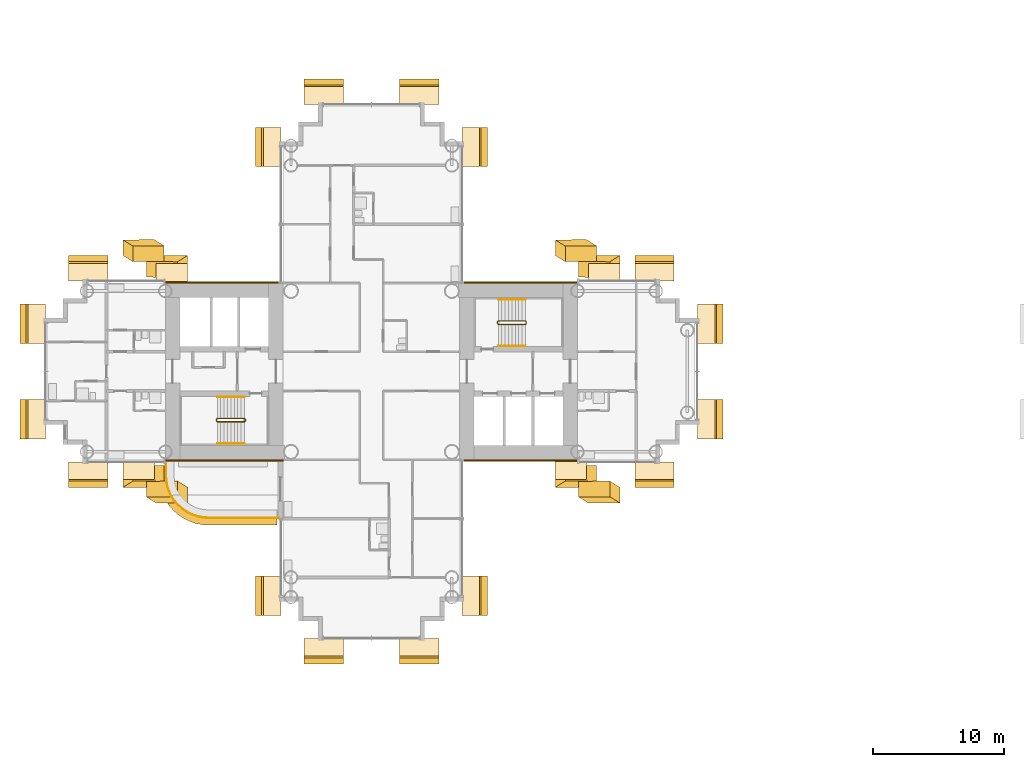
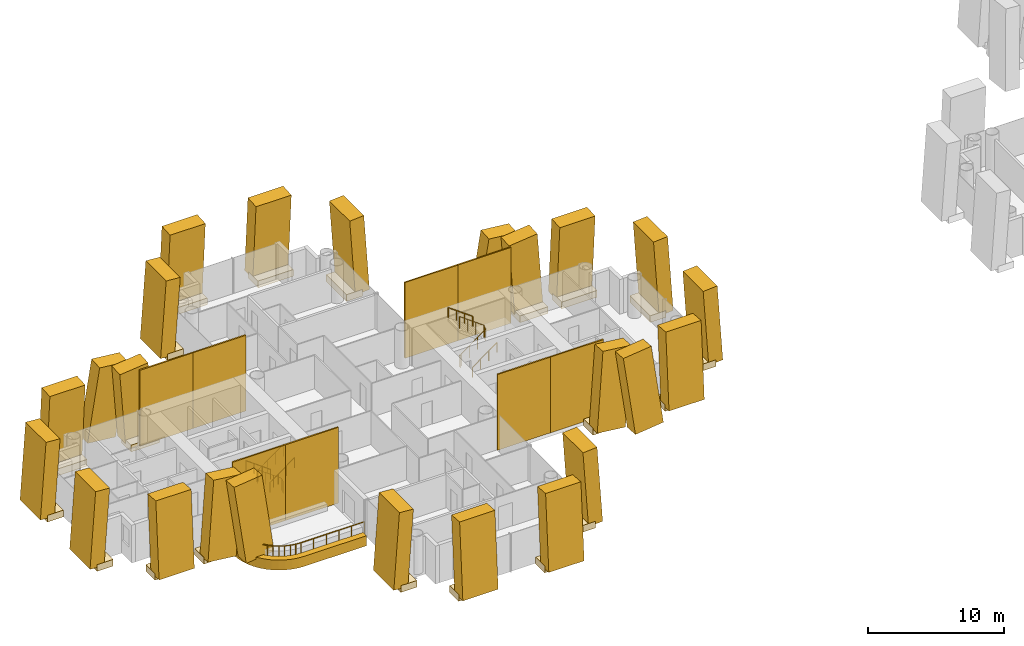
# One storey, part 22 of 24: 53 coverings, 7 railings.
"""IFC4 building model written with IfcOpenShell, lengths in metres."""

from ifc_helpers import new_model, si_unit, direction, frame, origin, origin_2d, place, context, subcontext, project, spatial, polyline, rectangle, circle, outline, extrude, material, layer, layer_set, material_profile, profile_set, type_object, element, save


model = new_model("IFC4")

# Units and contexts
model_context = context("Model", 3, precision=1e-05, world=origin(), true_north=direction((0.0, 1.0)))
body_context = subcontext(model_context, "Body", "Model", "MODEL_VIEW")
ifc_project = project(units=[si_unit("LENGTHUNIT", "METRE"), si_unit("AREAUNIT", "SQUARE_METRE"), si_unit("VOLUMEUNIT", "CUBIC_METRE"), si_unit("PLANEANGLEUNIT", "RADIAN"), si_unit("MASSUNIT", "GRAM", prefix="KILO")], contexts=[model_context])

# Site, building, storey
site_placement = place(None, origin())
site = spatial("IfcSite", under=ifc_project, at=site_placement, CompositionType="ELEMENT")
building_placement = place(site_placement, origin())
building = spatial("IfcBuilding", under=site, at=building_placement, Name="Ipe Terrace Towers", CompositionType="ELEMENT")
storey_placement = place(building_placement, frame((0.0, 0.0, 38.10009765625)))
storey = spatial("IfcBuildingStorey", under=building, at=storey_placement, Name="L09", CompositionType="ELEMENT", Elevation=38.10009765625)

# Railing
ifc_material_1 = material(Name="Stainless steel S316", Category="steel")
railing_type_1 = type_object("IfcRailingType", Name="GUARD 1100", PredefinedType="BALUSTRADE", material=ifc_material_1)
railing_1_placement = place(storey_placement, frame((-51.699951171875, -7.070068359375, -0.02001953125)))
element("IfcRailing", 1, at=railing_1_placement, inside=storey, type_object=railing_type_1, Name="guard", PredefinedType="BALUSTRADE", context=body_context, shape_type="SweptSolid", body=[
    extrude(circle(Radius=0.02392578125, at=origin_2d()), frame((0.0, 0.0, 1.076171875), z_axis=(0.0, -1.0, 0.0), x_axis=(1.0, 0.0, 0.0)), (0.0, 0.0, 1.0), 0.8779296875),
    extrude(circle(Radius=0.02392578125, at=origin_2d()), frame((0.0, -0.8779296875, 1.076171875), z_axis=(0.065190546171, -0.997872833927, 0.0), x_axis=(0.997872833927, 0.065190546171, 0.0)), (0.0, 0.0, 1.0), 0.427001953125),
    extrude(circle(Radius=0.02392578125, at=origin_2d()), frame((0.02783203125, -1.303955078125, 1.076171875), z_axis=(0.195232649896, -0.980756958892, 0.0), x_axis=(0.980756958892, 0.195232649896, 0.0)), (0.0, 0.0, 1.0), 0.42529296875),
    extrude(circle(Radius=0.02392578125, at=origin_2d()), frame((0.11083984375, -1.720947265625, 1.076171875), z_axis=(0.320184280026, -0.947355280148, 0.0), x_axis=(0.947355280148, 0.320184280026, 0.0)), (0.0, 0.0, 1.0), 0.425537109375),
    extrude(circle(Radius=0.02392578125, at=origin_2d()), frame((0.2470703125, -2.1240234375, 1.076171875), z_axis=(0.444455160923, -0.895801099535, 0.0), x_axis=(0.895801099535, 0.444455160923, 0.0)), (0.0, 0.0, 1.0), 0.425048828125),
    extrude(circle(Radius=0.02392578125, at=origin_2d()), frame((0.43603515625, -2.5048828125, 1.076171875), z_axis=(0.55549616226, -0.83151910003, 0.0), x_axis=(0.83151910003, 0.55549616226, 0.0)), (0.0, 0.0, 1.0), 0.424560546875),
    extrude(circle(Radius=0.02392578125, at=origin_2d()), frame((0.671875, -2.85791015625, 1.076171875), z_axis=(0.658463964434, -0.752612255774, 0.0), x_axis=(0.752612255774, 0.658463964434, 0.0)), (0.0, 0.0, 1.0), 0.42529296875),
    extrude(circle(Radius=0.02392578125, at=origin_2d()), frame((0.951904296875, -3.177978515625, 1.076171875), z_axis=(0.752612255774, -0.658463964434, 0.0), x_axis=(0.658463964434, 0.752612255774, 0.0)), (0.0, 0.0, 1.0), 0.42529296875),
    extrude(circle(Radius=0.02392578125, at=origin_2d()), frame((1.27197265625, -3.4580078125, 1.076171875), z_axis=(0.83151910003, -0.55549616226, 0.0), x_axis=(0.55549616226, 0.83151910003, 0.0)), (0.0, 0.0, 1.0), 0.424560546875),
    extrude(circle(Radius=0.02392578125, at=origin_2d()), frame((1.625, -3.69384765625, 1.076171875), z_axis=(0.895801099535, -0.444455160923, 0.0), x_axis=(0.444455160923, 0.895801099535, 0.0)), (0.0, 0.0, 1.0), 0.425048828125),
    extrude(circle(Radius=0.02392578125, at=origin_2d()), frame((2.005859375, -3.8828125, 1.076171875), z_axis=(0.947355280148, -0.320184280026, 0.0), x_axis=(0.320184280026, 0.947355280148, 0.0)), (0.0, 0.0, 1.0), 0.425537109375),
    extrude(circle(Radius=0.02392578125, at=origin_2d()), frame((2.408935546875, -4.01904296875, 1.076171875), z_axis=(0.980756958892, -0.195232649896, 0.0), x_axis=(0.195232649896, 0.980756958892, 0.0)), (0.0, 0.0, 1.0), 0.42529296875),
    extrude(circle(Radius=0.02392578125, at=origin_2d()), frame((2.825927734375, -4.10205078125, 1.076171875), z_axis=(0.997872833927, -0.065190546171, 0.0), x_axis=(0.065190546171, 0.997872833927, 0.0)), (0.0, 0.0, 1.0), 0.427001953125),
    extrude(circle(Radius=0.02392578125, at=origin_2d()), frame((3.251953125, -4.1298828125, 1.076171875), z_axis=(1.0, 0.0, 0.0), x_axis=(0.0, 1.0, 0.0)), (0.0, 0.0, 1.0), 5.3779296875),
    extrude(circle(Radius=0.02099609375, at=origin_2d()), origin(), (0.0, 0.0, 1.0), 1.052001953125),
    extrude(circle(Radius=0.02099609375, at=origin_2d()), frame((0.0, -0.8779296875, 0.0)), (0.0, 0.0, 1.0), 1.052001953125),
    extrude(circle(Radius=0.02099609375, at=origin_2d()), frame((0.02783203125, -1.303955078125, 0.0)), (0.0, 0.0, 1.0), 1.052001953125),
    extrude(circle(Radius=0.02099609375, at=origin_2d()), frame((0.11083984375, -1.720947265625, 0.0)), (0.0, 0.0, 1.0), 1.052001953125),
    extrude(circle(Radius=0.02099609375, at=origin_2d()), frame((0.2470703125, -2.1240234375, 0.0)), (0.0, 0.0, 1.0), 1.052001953125),
    extrude(circle(Radius=0.02099609375, at=origin_2d()), frame((0.43603515625, -2.5048828125, 0.0)), (0.0, 0.0, 1.0), 1.052001953125),
    extrude(circle(Radius=0.02099609375, at=origin_2d()), frame((0.671875, -2.85791015625, 0.0)), (0.0, 0.0, 1.0), 1.052001953125),
    extrude(circle(Radius=0.02099609375, at=origin_2d()), frame((0.951904296875, -3.177978515625, 0.0)), (0.0, 0.0, 1.0), 1.052001953125),
    extrude(circle(Radius=0.02099609375, at=origin_2d()), frame((1.27197265625, -3.4580078125, 0.0)), (0.0, 0.0, 1.0), 1.052001953125),
    extrude(circle(Radius=0.02099609375, at=origin_2d()), frame((1.625, -3.69384765625, 0.0)), (0.0, 0.0, 1.0), 1.052001953125),
    extrude(circle(Radius=0.02099609375, at=origin_2d()), frame((2.005859375, -3.8828125, 0.0)), (0.0, 0.0, 1.0), 1.052001953125),
    extrude(circle(Radius=0.02099609375, at=origin_2d()), frame((2.408935546875, -4.01904296875, 0.0)), (0.0, 0.0, 1.0), 1.052001953125),
    extrude(circle(Radius=0.02099609375, at=origin_2d()), frame((2.825927734375, -4.10205078125, 0.0)), (0.0, 0.0, 1.0), 1.052001953125),
    extrude(circle(Radius=0.02099609375, at=origin_2d()), frame((3.251953125, -4.1298828125, 0.0)), (0.0, 0.0, 1.0), 1.052001953125),
    extrude(circle(Radius=0.02099609375, at=origin_2d()), frame((4.32763671875, -4.1298828125, 0.0)), (0.0, 0.0, 1.0), 1.052001953125),
    extrude(circle(Radius=0.02099609375, at=origin_2d()), frame((5.403076171875, -4.1298828125, 0.0)), (0.0, 0.0, 1.0), 1.052001953125),
    extrude(circle(Radius=0.02099609375, at=origin_2d()), frame((6.478759765625, -4.1298828125, 0.0)), (0.0, 0.0, 1.0), 1.052001953125),
    extrude(circle(Radius=0.02099609375, at=origin_2d()), frame((7.55419921875, -4.1298828125, 0.0)), (0.0, 0.0, 1.0), 1.052001953125),
    extrude(circle(Radius=0.02099609375, at=origin_2d()), frame((8.6298828125, -4.1298828125, 0.0)), (0.0, 0.0, 1.0), 1.052001953125),
])

# Coverings
ifc_material_2 = material(Name="Concrete C50/60 precast, buff finish", Category="concrete")
ifc_layer_1 = layer(ifc_material_2, 0.1201171875)
ifc_layer_set_1 = layer_set([ifc_layer_1], Name="STONE CORE CLADDING 120")
covering_type_1 = type_object("IfcCoveringType", Name="STONE CORE CLADDING 120", PredefinedType="CLADDING", material=ifc_layer_set_1)
covering_1_placement = place(storey_placement, frame((-49.5009765625, -6.81005859375, 0.0), z_axis=(0.0, 0.0, 1.0), x_axis=(1.0, 0.0, 0.0)))
element("IfcCovering", 2, at=covering_1_placement, inside=storey, type_object=covering_type_1, Name="stone core cladding", PredefinedType="CLADDING", context=body_context, shape_type="SweptSolid", body=[
    extrude(rectangle(XDim=4.5009765625, YDim=0.1201171875, at=origin_2d()), origin(), (0.0, 0.0, 1.0), 6.800048828125),
])
covering_2_placement = place(storey_placement, frame((-45.0, -6.81005859375, 0.0), z_axis=(0.0, 0.0, 1.0), x_axis=(1.0, 0.0, 0.0)))
element("IfcCovering", 3, at=covering_2_placement, inside=storey, type_object=covering_type_1, Name="stone core cladding", PredefinedType="CLADDING", context=body_context, shape_type="SweptSolid", body=[
    extrude(rectangle(XDim=4.5, YDim=0.1201171875, at=origin_2d()), origin(), (0.0, 0.0, 1.0), 6.800048828125),
])
covering_3_placement = place(storey_placement, frame((-49.5009765625, 6.81005859375, 0.0), z_axis=(0.0, 0.0, 1.0), x_axis=(-1.0, 0.0, 0.0)))
element("IfcCovering", 4, at=covering_3_placement, inside=storey, type_object=covering_type_1, Name="stone core cladding", PredefinedType="CLADDING", context=body_context, shape_type="SweptSolid", body=[
    extrude(rectangle(XDim=4.5009765625, YDim=0.1201171875, at=origin_2d()), origin(), (0.0, 0.0, 1.0), 6.800048828125),
])
for number, where, z_axis, x_axis, name in (
    (5, (-45.0, 6.81005859375, 0.0), (0.0, 0.0, 1.0), (-1.0, 0.0, 0.0), "stone core cladding"),
    (6, (-27.0, -6.81005859375, 0.0), (0.0, 0.0, 1.0), (1.0, 0.0, 0.0), "stone core cladding"),
):
    element("IfcCovering", number, at=place(storey_placement, frame(where, z_axis=z_axis, x_axis=x_axis)), inside=storey, type_object=covering_type_1, Name=name, PredefinedType="CLADDING", context=body_context, shape_type="SweptSolid", body=[
        extrude(rectangle(XDim=4.5, YDim=0.1201171875, at=origin_2d()), origin(), (0.0, 0.0, 1.0), 6.800048828125),
    ])
covering_4_placement = place(storey_placement, frame((-22.4990234375, -6.81005859375, 0.0), z_axis=(0.0, 0.0, 1.0), x_axis=(1.0, 0.0, 0.0)))
element("IfcCovering", 7, at=covering_4_placement, inside=storey, type_object=covering_type_1, Name="stone core cladding", PredefinedType="CLADDING", context=body_context, shape_type="SweptSolid", body=[
    extrude(rectangle(XDim=4.5009765625, YDim=0.1201171875, at=origin_2d()), origin(), (0.0, 0.0, 1.0), 6.800048828125),
])
covering_5_placement = place(storey_placement, frame((-27.0, 6.81005859375, 0.0), z_axis=(0.0, 0.0, 1.0), x_axis=(-1.0, 0.0, 0.0)))
element("IfcCovering", 8, at=covering_5_placement, inside=storey, type_object=covering_type_1, Name="stone core cladding", PredefinedType="CLADDING", context=body_context, shape_type="SweptSolid", body=[
    extrude(rectangle(XDim=4.5, YDim=0.1201171875, at=origin_2d()), origin(), (0.0, 0.0, 1.0), 6.800048828125),
])
covering_6_placement = place(storey_placement, frame((-22.4990234375, 6.81005859375, 0.0), z_axis=(0.0, 0.0, 1.0), x_axis=(-1.0, 0.0, 0.0)))
element("IfcCovering", 9, at=covering_6_placement, inside=storey, type_object=covering_type_1, Name="stone core cladding", PredefinedType="CLADDING", context=body_context, shape_type="SweptSolid", body=[
    extrude(rectangle(XDim=4.5009765625, YDim=0.1201171875, at=origin_2d()), origin(), (0.0, 0.0, 1.0), 6.800048828125),
])
ifc_material_3 = material(Name="Concrete C50/60 precast, buff finish", Category="concrete")
ifc_layer_2 = layer(ifc_material_3, 0.5)
ifc_layer_set_2 = layer_set([ifc_layer_2], Name="STONE EDGE BAND 500 x 900")
covering_type_2 = type_object("IfcCoveringType", Name="STONE EDGE BAND 500 x 900", PredefinedType="CLADDING", material=ifc_layer_set_2)
covering_7_placement = place(storey_placement, frame((0.0, 0.0, -0.72021484375)))
element("IfcCovering", 10, at=covering_7_placement, inside=storey, type_object=covering_type_2, Name="stone edge band", PredefinedType="CLADDING", context=body_context, shape_type="SweptSolid", body=[
    extrude(outline(polyline([(-48.449951171875, -11.75), (-43.199951171875, -11.75), (-43.199951171875, -11.25), (-48.449951171875, -11.25), (-48.881103515625, -11.221923828125), (-49.303955078125, -11.137939453125), (-49.712890625, -10.9990234375), (-50.10009765625, -10.80810546875), (-50.458984375, -10.568115234375), (-50.782958984375, -10.282958984375), (-51.068115234375, -9.958984375), (-51.30810546875, -9.60009765625), (-51.4990234375, -9.212890625), (-51.637939453125, -8.803955078125), (-51.721923828125, -8.381103515625), (-51.75, -7.949951171875), (-51.75, -7.199951171875), (-52.25, -7.199951171875), (-52.25, -7.949951171875), (-52.2490234375, -7.98291015625), (-52.220947265625, -8.4130859375), (-52.2119140625, -8.47802734375), (-52.1279296875, -8.902099609375), (-52.111083984375, -8.965087890625), (-51.971923828125, -9.3740234375), (-51.947021484375, -9.43408203125), (-51.756103515625, -9.821044921875), (-51.72412109375, -9.8779296875), (-51.48388671875, -10.237060546875), (-51.444091796875, -10.2890625), (-51.158935546875, -10.613037109375), (-51.113037109375, -10.658935546875), (-50.7890625, -10.944091796875), (-50.737060546875, -10.98388671875), (-50.3779296875, -11.22412109375), (-50.321044921875, -11.256103515625), (-49.93408203125, -11.447021484375), (-49.8740234375, -11.471923828125), (-49.465087890625, -11.611083984375), (-49.402099609375, -11.6279296875), (-48.97802734375, -11.7119140625), (-48.9130859375, -11.720947265625), (-48.48291015625, -11.7490234375), (-48.449951171875, -11.75)])), origin(), (0.0, 0.0, 1.0), 0.900146484375),
])
ifc_material_4 = material(Name="Concrete C50/60 precast, buff finish", Category="concrete")
ifc_material_profile_1 = material_profile(ifc_material_4, rectangle(XDim=2.39990234375, YDim=1.199951171875, at=origin_2d()), Name="STONE FIN 2400 x 1200")
ifc_profile_set_1 = profile_set([ifc_material_profile_1], Name="Concrete C50/60 precast, buff finish")
covering_type_3 = type_object("IfcCoveringType", Name="STONE FIN 2400 x 1200", PredefinedType="USERDEFINED", material=ifc_profile_set_1)
for number, where, z_axis, x_axis, name in (
    (11, (-18.202880859375, -9.468017578125, 0.0), (-0.110529591456, 0.069272330104, 0.991455774956), (0.993872833622, 0.007703845088, 0.110260787945), "stone fin"),
    (12, (-18.202880859375, 8.26806640625, 0.0), (-0.110529591456, -0.069272330104, 0.991455774956), (-0.993872833622, 0.007703845088, -0.110260787945), "stone fin"),
    (13, (-20.7470703125, -8.26806640625, 0.0), (0.110529591456, 0.069272330104, 0.991455774956), (0.993872833622, -0.007703845088, -0.110260787945), "stone fin"),
    (14, (-20.7470703125, 9.468017578125, 0.0), (0.110529591456, -0.069272330104, 0.991455774956), (-0.993872833622, -0.007703845088, 0.110260787945), "stone fin"),
    (15, (-51.2529296875, -9.468017578125, 0.0), (-0.110529591456, 0.069272330104, 0.991455774956), (0.993872833622, 0.007703845088, 0.110260787945), "stone fin"),
    (16, (-51.2529296875, 8.26806640625, 0.0), (-0.110529591456, -0.069272330104, 0.991455774956), (-0.993872833622, 0.007703845088, -0.110260787945), "stone fin"),
    (17, (-53.797119140625, -8.26806640625, 0.0), (0.110529591456, 0.069272330104, 0.991455774956), (0.993872833622, -0.007703845088, -0.110260787945), "stone fin"),
    (18, (-53.797119140625, 9.468017578125, 0.0), (0.110529591456, -0.069272330104, 0.991455774956), (-0.993872833622, -0.007703845088, 0.110260787945), "stone fin"),
):
    element("IfcCovering", number, at=place(storey_placement, frame(where, z_axis=z_axis, x_axis=x_axis)), inside=storey, type_object=covering_type_3, Name=name, ObjectType="FIN", PredefinedType="USERDEFINED", context=body_context, shape_type="SweptSolid", body=[
        extrude(rectangle(XDim=2.39990234375, YDim=1.199951171875, at=origin_2d()), origin(), (0.0, 0.0, 1.0), 6.8583984375),
    ])
ifc_material_5 = material(Name="Concrete C50/60 precast, buff finish", Category="concrete")
ifc_material_profile_2 = material_profile(ifc_material_5, rectangle(XDim=3.0, YDim=1.199951171875, at=origin_2d()), Name="STONE FIN CORNER 3000 x 1200")
ifc_profile_set_2 = profile_set([ifc_material_profile_2], Name="Concrete C50/60 precast, buff finish")
covering_type_4 = type_object("IfcCoveringType", Name="STONE FIN CORNER 3000 x 1200", PredefinedType="USERDEFINED", material=ifc_profile_set_2)
for number, where, z_axis, x_axis, name in (
    (19, (-9.73193359375, -3.64990234375, 0.0), (-0.069699389862, 0.0, 0.997568040312), (0.0, 1.0, 0.0), "stone fin"),
    (20, (-9.73193359375, 3.64990234375, 0.0), (-0.069699389862, 0.0, 0.997568040312), (0.0, 1.0, 0.0), "stone fin"),
    (21, (-14.35009765625, -8.26806640625, 0.0), (0.0, 0.069699389862, 0.997568040312), (1.0, 0.0, 0.0), "stone fin"),
    (22, (-14.35009765625, 8.26806640625, 0.0), (0.0, -0.069699389862, 0.997568040312), (-1.0, 0.0, 0.0), "stone fin"),
    (23, (-27.73193359375, -17.14990234375, 0.0), (-0.069699389862, 0.0, 0.997568040312), (0.0, 1.0, 0.0), "stone fin"),
    (24, (-27.73193359375, 17.14990234375, 0.0), (-0.069699389862, 0.0, 0.997568040312), (0.0, 1.0, 0.0), "stone fin"),
    (25, (-32.35009765625, -21.76806640625, 0.0), (0.0, 0.069699389862, 0.997568040312), (1.0, 0.0, 0.0), "stone fin"),
    (26, (-32.35009765625, 21.76806640625, 0.0), (0.0, -0.069699389862, 0.997568040312), (-1.0, 0.0, 0.0), "stone fin"),
    (27, (-39.64990234375, -21.76806640625, 0.0), (0.0, 0.069699389862, 0.997568040312), (1.0, 0.0, 0.0), "stone fin"),
    (28, (-39.64990234375, 21.76806640625, 0.0), (0.0, -0.069699389862, 0.997568040312), (-1.0, 0.0, 0.0), "stone fin"),
    (29, (-44.26806640625, -17.14990234375, 0.0), (0.069699389862, 0.0, 0.997568040312), (0.0, -1.0, 0.0), "stone fin"),
    (30, (-44.26806640625, 17.14990234375, 0.0), (0.069699389862, 0.0, 0.997568040312), (0.0, -1.0, 0.0), "stone fin"),
    (31, (-57.64990234375, -8.26806640625, 0.0), (0.0, 0.069699389862, 0.997568040312), (1.0, 0.0, 0.0), "stone fin"),
    (32, (-57.64990234375, 8.26806640625, 0.0), (0.0, -0.069699389862, 0.997568040312), (-1.0, 0.0, 0.0), "stone fin"),
    (33, (-62.26806640625, -3.64990234375, 0.0), (0.069699389862, 0.0, 0.997568040312), (0.0, -1.0, 0.0), "stone fin"),
    (34, (-62.26806640625, 3.64990234375, 0.0), (0.069699389862, 0.0, 0.997568040312), (0.0, -1.0, 0.0), "stone fin"),
):
    element("IfcCovering", number, at=place(storey_placement, frame(where, z_axis=z_axis, x_axis=x_axis)), inside=storey, type_object=covering_type_4, Name=name, ObjectType="FIN", PredefinedType="USERDEFINED", context=body_context, shape_type="SweptSolid", body=[
        extrude(rectangle(XDim=3.0, YDim=1.199951171875, at=origin_2d()), origin(), (0.0, 0.0, 1.0), 6.81640625),
    ])
ifc_material_6 = material(Name="Concrete C50/60 precast, buff finish", Category="concrete")
covering_type_5 = type_object("IfcCoveringType", Name="STONE FIN SHELF 2400 x 600", PredefinedType="CLADDING", material=ifc_material_6)
covering_8_placement = place(storey_placement, frame((-18.202880859375, 7.592041015625, -0.35009765625), z_axis=(0.0, 0.0, 1.0), x_axis=(-1.0, 0.0, 0.0)))
element("IfcCovering", 35, at=covering_8_placement, inside=storey, type_object=covering_type_5, Name="stone fin shelf", PredefinedType="CLADDING", context=body_context, shape_type="SweptSolid", body=[
    extrude(rectangle(XDim=2.39990234375, YDim=1.35205078125, at=origin_2d()), origin(), (0.0, 0.0, 1.0), 0.60009765625),
])
for number, where, z_axis, x_axis, name in (
    (36, (-20.7470703125, -7.56396484375, -0.35009765625), (0.0, 0.0, 1.0), (1.0, 0.0, 0.0), "stone fin shelf"),
    (37, (-51.2529296875, 7.56396484375, -0.35009765625), (0.0, 0.0, 1.0), (-1.0, 0.0, 0.0), "stone fin shelf"),
):
    element("IfcCovering", number, at=place(storey_placement, frame(where, z_axis=z_axis, x_axis=x_axis)), inside=storey, type_object=covering_type_5, Name=name, PredefinedType="CLADDING", context=body_context, shape_type="SweptSolid", body=[
        extrude(rectangle(XDim=2.39990234375, YDim=1.407958984375, at=origin_2d()), origin(), (0.0, 0.0, 1.0), 0.60009765625),
    ])
covering_9_placement = place(storey_placement, frame((-53.797119140625, -7.592041015625, -0.35009765625), z_axis=(0.0, 0.0, 1.0), x_axis=(1.0, 0.0, 0.0)))
element("IfcCovering", 38, at=covering_9_placement, inside=storey, type_object=covering_type_5, Name="stone fin shelf", PredefinedType="CLADDING", context=body_context, shape_type="SweptSolid", body=[
    extrude(rectangle(XDim=2.39990234375, YDim=1.35205078125, at=origin_2d()), origin(), (0.0, 0.0, 1.0), 0.60009765625),
])
ifc_material_7 = material(Name="Concrete C50/60 precast, buff finish", Category="concrete")
covering_type_6 = type_object("IfcCoveringType", Name="STONE FIN SHELF 3000 x 600", PredefinedType="CLADDING", material=ifc_material_7)
for number, where, z_axis, x_axis, name in (
    (39, (-10.407958984375, -3.64990234375, -0.35009765625), (0.0, 0.0, 1.0), (0.0, 1.0, 0.0), "stone fin shelf"),
    (40, (-10.407958984375, 3.64990234375, -0.35009765625), (0.0, 0.0, 1.0), (0.0, 1.0, 0.0), "stone fin shelf"),
    (41, (-14.35009765625, -7.592041015625, -0.35009765625), (0.0, 0.0, 1.0), (1.0, 0.0, 0.0), "stone fin shelf"),
    (42, (-14.35009765625, 7.592041015625, -0.35009765625), (0.0, 0.0, 1.0), (-1.0, 0.0, 0.0), "stone fin shelf"),
    (43, (-28.407958984375, -17.14990234375, -0.35009765625), (0.0, 0.0, 1.0), (0.0, 1.0, 0.0), "stone fin shelf"),
    (44, (-28.407958984375, 17.14990234375, -0.35009765625), (0.0, 0.0, 1.0), (0.0, 1.0, 0.0), "stone fin shelf"),
    (45, (-32.35009765625, -21.092041015625, -0.35009765625), (0.0, 0.0, 1.0), (1.0, 0.0, 0.0), "stone fin shelf"),
    (46, (-32.35009765625, 21.092041015625, -0.35009765625), (0.0, 0.0, 1.0), (-1.0, 0.0, 0.0), "stone fin shelf"),
    (47, (-39.64990234375, -21.092041015625, -0.35009765625), (0.0, 0.0, 1.0), (1.0, 0.0, 0.0), "stone fin shelf"),
    (48, (-39.64990234375, 21.092041015625, -0.35009765625), (0.0, 0.0, 1.0), (-1.0, 0.0, 0.0), "stone fin shelf"),
    (49, (-43.592041015625, -17.14990234375, -0.35009765625), (0.0, 0.0, 1.0), (0.0, -1.0, 0.0), "stone fin shelf"),
    (50, (-43.592041015625, 17.14990234375, -0.35009765625), (0.0, 0.0, 1.0), (0.0, -1.0, 0.0), "stone fin shelf"),
    (51, (-57.64990234375, -7.592041015625, -0.35009765625), (0.0, 0.0, 1.0), (1.0, 0.0, 0.0), "stone fin shelf"),
    (52, (-57.64990234375, 7.592041015625, -0.35009765625), (0.0, 0.0, 1.0), (-1.0, 0.0, 0.0), "stone fin shelf"),
    (53, (-61.592041015625, -3.64990234375, -0.35009765625), (0.0, 0.0, 1.0), (0.0, -1.0, 0.0), "stone fin shelf"),
    (54, (-61.592041015625, 3.64990234375, -0.35009765625), (0.0, 0.0, 1.0), (0.0, -1.0, 0.0), "stone fin shelf"),
):
    element("IfcCovering", number, at=place(storey_placement, frame(where, z_axis=z_axis, x_axis=x_axis)), inside=storey, type_object=covering_type_6, Name=name, PredefinedType="CLADDING", context=body_context, shape_type="SweptSolid", body=[
        extrude(rectangle(XDim=3.0, YDim=1.35205078125, at=origin_2d()), origin(), (0.0, 0.0, 1.0), 0.60009765625),
    ])

# Railings
ifc_material_8 = material(Name="Steel S355", Category="steel")
railing_type_2 = type_object("IfcRailingType", Name="Stair guard 1100", PredefinedType="GUARDRAIL", material=ifc_material_8)
railing_2_placement = place(storey_placement, frame((-26.35009765625, 3.800048828125, 0.0)))
element("IfcRailing", 55, at=railing_2_placement, inside=storey, type_object=railing_type_2, Name="L09 T1-ST1 stair guard 1", PredefinedType="GUARDRAIL", context=body_context, shape_type="SweptSolid", body=[
    extrude(circle(Radius=0.02392578125, at=origin_2d()), frame((0.0, 0.0, 1.076171875), z_axis=(0.0, -1.0, 0.0), x_axis=(1.0, 0.0, 0.0)), (0.0, 0.0, 1.0), 0.150146484375),
    extrude(circle(Radius=0.02392578125, at=origin_2d()), frame((0.0, -0.150146484375, 1.076171875), z_axis=(0.248385422981, -0.247173786771, 0.936594790069), x_axis=(0.705375805398, 0.708833529934, 0.0)), (0.0, 0.0, 1.0), 0.201416015625),
    extrude(circle(Radius=0.02392578125, at=origin_2d()), frame((0.050048828125, -0.199951171875, 1.2646484375), z_axis=(0.809023421508, 0.0, 0.587776406001), x_axis=(0.0, 1.0, 0.0)), (0.0, 0.0, 1.0), 2.571044921875),
    extrude(circle(Radius=0.02392578125, at=origin_2d()), frame((2.130126953125, -0.199951171875, 2.77587890625), z_axis=(0.708833529934, 0.705375805398, 0.0), x_axis=(-0.705375805398, 0.708833529934, 0.0)), (0.0, 0.0, 1.0), 0.070556640625),
    extrude(circle(Radius=0.02392578125, at=origin_2d()), frame((2.18017578125, -0.150146484375, 2.77587890625), z_axis=(0.0, 1.0, 0.0), x_axis=(-1.0, 0.0, 0.0)), (0.0, 0.0, 1.0), 0.150146484375),
    extrude(circle(Radius=0.02392578125, at=origin_2d()), frame((2.18017578125, 0.0, 2.77587890625), z_axis=(-0.248310886586, 0.248310886586, 0.936313733321), x_axis=(-0.707106781187, -0.707106781187, 0.0)), (0.0, 0.0, 1.0), 0.20166015625),
    extrude(circle(Radius=0.02392578125, at=origin_2d()), frame((2.130126953125, 0.050048828125, 2.96484375), z_axis=(-0.809023421508, 0.0, 0.587776406001), x_axis=(0.0, -1.0, 0.0)), (0.0, 0.0, 1.0), 2.571044921875),
    extrude(circle(Radius=0.02099609375, at=origin_2d()), origin(), (0.0, 0.0, 1.0), 1.052001953125),
    extrude(circle(Radius=0.02099609375, at=origin_2d()), frame((0.0, -0.150146484375, 0.0)), (0.0, 0.0, 1.0), 1.052001953125),
    extrude(circle(Radius=0.02099609375, at=origin_2d()), frame((0.050048828125, -0.199951171875, 0.188720703125)), (0.0, 0.0, 1.0), 1.052001953125),
    extrude(circle(Radius=0.02099609375, at=origin_2d()), frame((0.743408203125, -0.199951171875, 0.6923828125)), (0.0, 0.0, 1.0), 1.052001953125),
    extrude(circle(Radius=0.02099609375, at=origin_2d()), frame((1.436767578125, -0.199951171875, 1.1962890625)), (0.0, 0.0, 1.0), 1.052001953125),
    extrude(circle(Radius=0.02099609375, at=origin_2d()), frame((2.130126953125, -0.199951171875, 1.699951171875)), (0.0, 0.0, 1.0), 1.052001953125),
    extrude(circle(Radius=0.02099609375, at=origin_2d()), frame((2.18017578125, -0.150146484375, 1.699951171875)), (0.0, 0.0, 1.0), 1.052001953125),
    extrude(circle(Radius=0.02099609375, at=origin_2d()), frame((2.18017578125, 0.0, 1.699951171875)), (0.0, 0.0, 1.0), 1.052001953125),
    extrude(circle(Radius=0.02099609375, at=origin_2d()), frame((2.130126953125, 0.050048828125, 1.888671875)), (0.0, 0.0, 1.0), 1.052001953125),
    extrude(circle(Radius=0.02099609375, at=origin_2d()), frame((1.436767578125, 0.050048828125, 2.392333984375)), (0.0, 0.0, 1.0), 1.052001953125),
    extrude(circle(Radius=0.02099609375, at=origin_2d()), frame((0.743408203125, 0.050048828125, 2.896240234375)), (0.0, 0.0, 1.0), 1.052001953125),
    extrude(circle(Radius=0.02099609375, at=origin_2d()), frame((0.050048828125, 0.050048828125, 3.39990234375)), (0.0, 0.0, 1.0), 1.052001953125),
])
railing_3_placement = place(storey_placement, frame((-45.64990234375, -3.800048828125, 0.0)))
element("IfcRailing", 56, at=railing_3_placement, inside=storey, type_object=railing_type_2, Name="L09 T1-ST2 stair guard 1", PredefinedType="GUARDRAIL", context=body_context, shape_type="SweptSolid", body=[
    extrude(circle(Radius=0.02392578125, at=origin_2d()), frame((0.0, 0.0, 1.076171875), z_axis=(0.0, 1.0, 0.0), x_axis=(-1.0, 0.0, 0.0)), (0.0, 0.0, 1.0), 0.150146484375),
    extrude(circle(Radius=0.02392578125, at=origin_2d()), frame((0.0, 0.150146484375, 1.076171875), z_axis=(-0.248385422981, 0.247173786771, 0.936594790069), x_axis=(-0.705375805398, -0.708833529934, 0.0)), (0.0, 0.0, 1.0), 0.201416015625),
    extrude(circle(Radius=0.02392578125, at=origin_2d()), frame((-0.050048828125, 0.199951171875, 1.2646484375), z_axis=(-0.809023421508, 0.0, 0.587776406001), x_axis=(0.0, -1.0, 0.0)), (0.0, 0.0, 1.0), 2.571044921875),
    extrude(circle(Radius=0.02392578125, at=origin_2d()), frame((-2.130126953125, 0.199951171875, 2.77587890625), z_axis=(-0.708833529934, -0.705375805398, 0.0), x_axis=(0.705375805398, -0.708833529934, 0.0)), (0.0, 0.0, 1.0), 0.070556640625),
    extrude(circle(Radius=0.02392578125, at=origin_2d()), frame((-2.18017578125, 0.150146484375, 2.77587890625), z_axis=(0.0, -1.0, 0.0), x_axis=(1.0, 0.0, 0.0)), (0.0, 0.0, 1.0), 0.150146484375),
    extrude(circle(Radius=0.02392578125, at=origin_2d()), frame((-2.18017578125, 0.0, 2.77587890625), z_axis=(0.248310886586, -0.248310886586, 0.936313733321), x_axis=(0.707106781187, 0.707106781187, 0.0)), (0.0, 0.0, 1.0), 0.20166015625),
    extrude(circle(Radius=0.02392578125, at=origin_2d()), frame((-2.130126953125, -0.050048828125, 2.96484375), z_axis=(0.809023421508, 0.0, 0.587776406001), x_axis=(0.0, 1.0, 0.0)), (0.0, 0.0, 1.0), 2.571044921875),
    extrude(circle(Radius=0.02099609375, at=origin_2d()), origin(), (0.0, 0.0, 1.0), 1.052001953125),
    extrude(circle(Radius=0.02099609375, at=origin_2d()), frame((0.0, 0.150146484375, 0.0)), (0.0, 0.0, 1.0), 1.052001953125),
    extrude(circle(Radius=0.02099609375, at=origin_2d()), frame((-0.050048828125, 0.199951171875, 0.188720703125)), (0.0, 0.0, 1.0), 1.052001953125),
    extrude(circle(Radius=0.02099609375, at=origin_2d()), frame((-0.743408203125, 0.199951171875, 0.6923828125)), (0.0, 0.0, 1.0), 1.052001953125),
    extrude(circle(Radius=0.02099609375, at=origin_2d()), frame((-1.436767578125, 0.199951171875, 1.1962890625)), (0.0, 0.0, 1.0), 1.052001953125),
    extrude(circle(Radius=0.02099609375, at=origin_2d()), frame((-2.130126953125, 0.199951171875, 1.699951171875)), (0.0, 0.0, 1.0), 1.052001953125),
    extrude(circle(Radius=0.02099609375, at=origin_2d()), frame((-2.18017578125, 0.150146484375, 1.699951171875)), (0.0, 0.0, 1.0), 1.052001953125),
    extrude(circle(Radius=0.02099609375, at=origin_2d()), frame((-2.18017578125, 0.0, 1.699951171875)), (0.0, 0.0, 1.0), 1.052001953125),
    extrude(circle(Radius=0.02099609375, at=origin_2d()), frame((-2.130126953125, -0.050048828125, 1.888671875)), (0.0, 0.0, 1.0), 1.052001953125),
    extrude(circle(Radius=0.02099609375, at=origin_2d()), frame((-1.436767578125, -0.050048828125, 2.392333984375)), (0.0, 0.0, 1.0), 1.052001953125),
    extrude(circle(Radius=0.02099609375, at=origin_2d()), frame((-0.743408203125, -0.050048828125, 2.896240234375)), (0.0, 0.0, 1.0), 1.052001953125),
    extrude(circle(Radius=0.02099609375, at=origin_2d()), frame((-0.050048828125, -0.050048828125, 3.39990234375)), (0.0, 0.0, 1.0), 1.052001953125),
])
ifc_material_9 = material(Name="Stainless steel grade 304", Category="steel")
railing_type_3 = type_object("IfcRailingType", Name="Stair handrail 900", PredefinedType="HANDRAIL", material=ifc_material_9)
railing_4_placement = place(storey_placement, frame((-26.300048828125, 1.949951171875, 0.188720703125)))
element("IfcRailing", 57, at=railing_4_placement, inside=storey, type_object=railing_type_3, Name="L09 T1-ST1 stair handrail 1", PredefinedType="HANDRAIL", context=body_context, shape_type="SweptSolid", body=[
    extrude(circle(Radius=0.02392578125, at=origin_2d()), frame((0.0, 0.0, 0.8759765625), z_axis=(0.809023421508, 0.0, 0.587776406001), x_axis=(0.0, 1.0, 0.0)), (0.0, 0.0, 1.0), 2.571044921875),
    extrude(circle(Radius=0.02099609375, at=origin_2d()), origin(), (0.0, 0.0, 1.0), 0.851806640625),
    extrude(circle(Radius=0.02099609375, at=origin_2d()), frame((0.693359375, 0.0, 0.503662109375)), (0.0, 0.0, 1.0), 0.851806640625),
    extrude(circle(Radius=0.02099609375, at=origin_2d()), frame((1.38671875, 0.0, 1.007568359375)), (0.0, 0.0, 1.0), 0.851806640625),
    extrude(circle(Radius=0.02099609375, at=origin_2d()), frame((2.080078125, 0.0, 1.51123046875)), (0.0, 0.0, 1.0), 0.851806640625),
])
for number, where, name in (
    (58, (-24.219970703125, 5.5, 1.888671875), "L09 T1-ST1 stair handrail 2"),
    (59, (-45.699951171875, -1.949951171875, 0.188720703125), "L09 T1-ST2 stair handrail 1"),
):
    element("IfcRailing", number, at=place(storey_placement, frame(where)), inside=storey, type_object=railing_type_3, Name=name, PredefinedType="HANDRAIL", context=body_context, shape_type="SweptSolid", body=[
        extrude(circle(Radius=0.02392578125, at=origin_2d()), frame((0.0, 0.0, 0.8759765625), z_axis=(-0.809023421508, 0.0, 0.587776406001), x_axis=(0.0, -1.0, 0.0)), (0.0, 0.0, 1.0), 2.571044921875),
        extrude(circle(Radius=0.02099609375, at=origin_2d()), origin(), (0.0, 0.0, 1.0), 0.851806640625),
        extrude(circle(Radius=0.02099609375, at=origin_2d()), frame((-0.693359375, 0.0, 0.503662109375)), (0.0, 0.0, 1.0), 0.851806640625),
        extrude(circle(Radius=0.02099609375, at=origin_2d()), frame((-1.38671875, 0.0, 1.007568359375)), (0.0, 0.0, 1.0), 0.851806640625),
        extrude(circle(Radius=0.02099609375, at=origin_2d()), frame((-2.080078125, 0.0, 1.51123046875)), (0.0, 0.0, 1.0), 0.851806640625),
    ])
railing_5_placement = place(storey_placement, frame((-47.780029296875, -5.5, 1.888671875)))
element("IfcRailing", 60, at=railing_5_placement, inside=storey, type_object=railing_type_3, Name="L09 T1-ST2 stair handrail 2", PredefinedType="HANDRAIL", context=body_context, shape_type="SweptSolid", body=[
    extrude(circle(Radius=0.02392578125, at=origin_2d()), frame((0.0, 0.0, 0.8759765625), z_axis=(0.809023421508, 0.0, 0.587776406001), x_axis=(0.0, 1.0, 0.0)), (0.0, 0.0, 1.0), 2.571044921875),
    extrude(circle(Radius=0.02099609375, at=origin_2d()), origin(), (0.0, 0.0, 1.0), 0.851806640625),
    extrude(circle(Radius=0.02099609375, at=origin_2d()), frame((0.693359375, 0.0, 0.503662109375)), (0.0, 0.0, 1.0), 0.851806640625),
    extrude(circle(Radius=0.02099609375, at=origin_2d()), frame((1.38671875, 0.0, 1.007568359375)), (0.0, 0.0, 1.0), 0.851806640625),
    extrude(circle(Radius=0.02099609375, at=origin_2d()), frame((2.080078125, 0.0, 1.51123046875)), (0.0, 0.0, 1.0), 0.851806640625),
])

save(model, "model.ifc")
